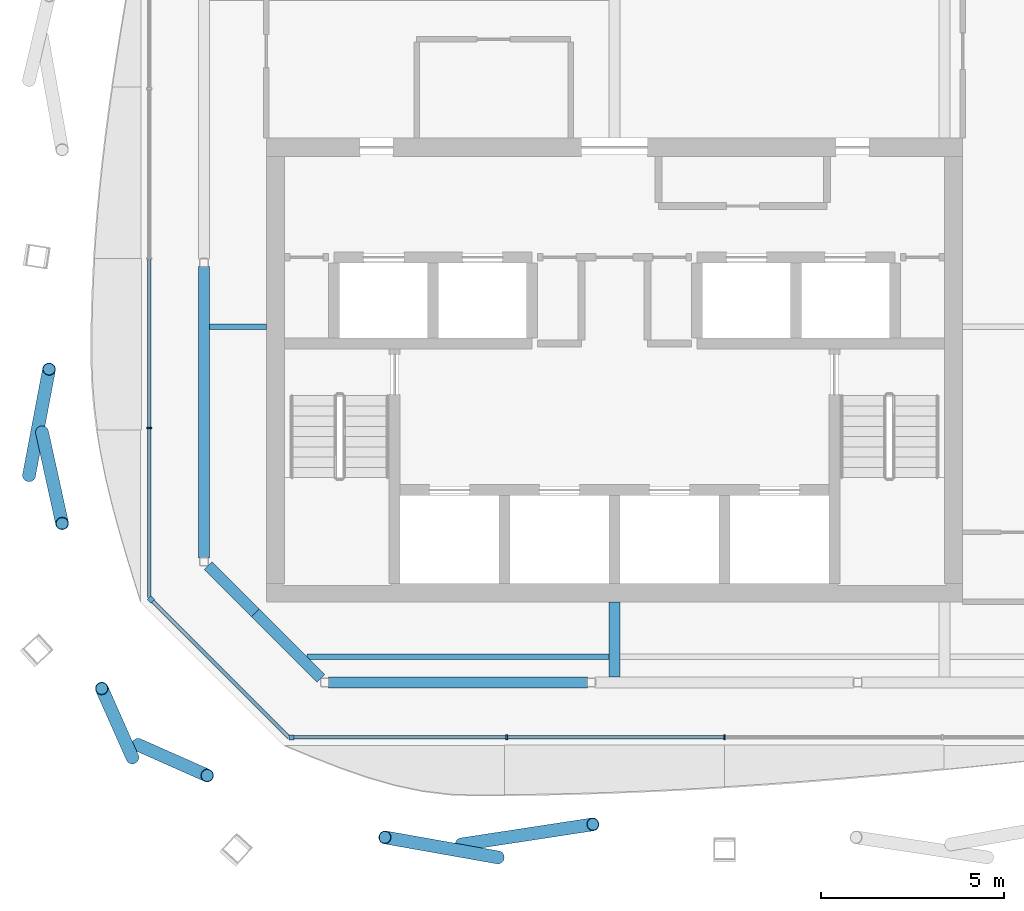
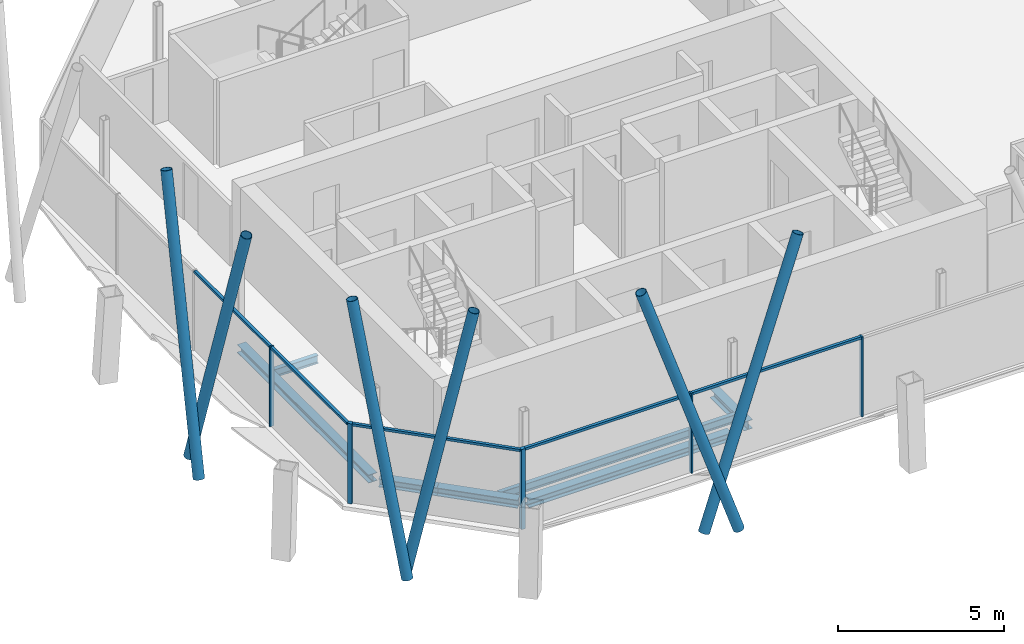
# One storey, part 3 of 13: 16 members, 7 beams, 3 elements without a shape of their own.
"""IFC4 building model written with IfcOpenShell, lengths in metres."""

from ifc_helpers import new_model, si_unit, direction, frame, origin, origin_2d, place, context, subcontext, project, spatial, rectangle, hollow_circle, i_section, extrude, material, material_profile, profile_set, type_object, element, aggregate, save


model = new_model("IFC4")

# Units and contexts
model_context = context("Model", 3, precision=1e-05, world=origin(), true_north=direction((0.0, 1.0)))
body_context = subcontext(model_context, "Body", "Model", "MODEL_VIEW")
ifc_project = project(units=[si_unit("LENGTHUNIT", "METRE"), si_unit("AREAUNIT", "SQUARE_METRE"), si_unit("VOLUMEUNIT", "CUBIC_METRE"), si_unit("PLANEANGLEUNIT", "RADIAN"), si_unit("MASSUNIT", "GRAM", prefix="KILO")], contexts=[model_context])

# Site, building, storey
site_placement = place(None, origin())
site = spatial("IfcSite", under=ifc_project, at=site_placement, CompositionType="ELEMENT")
building_placement = place(site_placement, origin())
building = spatial("IfcBuilding", under=site, at=building_placement, Name="Tskaro Facet Tower", CompositionType="ELEMENT")
storey_placement = place(building_placement, frame((0.0, 0.0, 278.39990234375)))
storey = spatial("IfcBuildingStorey", under=building, at=storey_placement, Name="L74", CompositionType="ELEMENT", Elevation=278.39990234375)

# Members
ifc_material_1 = material(Name="Steel S355J2H", Category="steel")
ifc_material_profile_1 = material_profile(ifc_material_1, hollow_circle(Radius=0.177734375, WallThickness=0.01611328125, at=origin_2d()), Name="CHS 355.6x16")
ifc_profile_set_1 = profile_set([ifc_material_profile_1], Name="Steel S355J2H")
member_type_1 = type_object("IfcMemberType", Name="CHS 355.6x16 brace", PredefinedType="BRACE", material=ifc_profile_set_1)
member_1_placement = place(storey_placement, frame((-4.177490234375, -18.61962890625, 0.0), z_axis=(0.354486102316, 0.054092953772, 0.933495343115), x_axis=(-0.150849231904, 0.988556780986, 0.0)))
element("IfcMember", 1, at=member_1_placement, inside=storey, type_object=member_type_1, Name="CHS 355.6x16 XB01A/6", PredefinedType="BRACE", context=body_context, shape_type="SweptSolid", body=[
    extrude(hollow_circle(Radius=0.177734375, WallThickness=0.01611328125, at=origin_2d()), origin(), (0.0, 0.0, 1.0), 10.12353515625),
])
member_2_placement = place(storey_placement, frame((-3.177001953125, -18.975341796875, 0.0), z_axis=(-0.310167611556, 0.05502103718, 0.949088372181), x_axis=(-0.174664448116, -0.984628016341, 0.0)))
element("IfcMember", 2, at=member_2_placement, inside=storey, type_object=member_type_1, Name="CHS 355.6x16 XB01B/6", PredefinedType="BRACE", context=body_context, shape_type="SweptSolid", body=[
    extrude(hollow_circle(Radius=0.177734375, WallThickness=0.01611328125, at=origin_2d()), origin(), (0.0, 0.0, 1.0), 9.95703125),
])
member_3_placement = place(storey_placement, frame((-15.61962890625, -7.373046875, 0.0), z_axis=(0.055945762215, -0.254437236004, 0.965469711915), x_axis=(0.9766689713, 0.214750367868, 0.0)))
element("IfcMember", 3, at=member_3_placement, inside=storey, type_object=member_type_1, Name="CHS 355.6x16 XB11A/6", PredefinedType="BRACE", context=body_context, shape_type="SweptSolid", body=[
    extrude(hollow_circle(Radius=0.177734375, WallThickness=0.01611328125, at=origin_2d()), origin(), (0.0, 0.0, 1.0), 9.7880859375),
])
member_4_placement = place(storey_placement, frame((-15.975341796875, -8.552490234375, 0.0), z_axis=(0.055334914977, 0.293023527036, 0.954502624296), x_axis=(-0.982632646837, 0.185561529875, 0.0)))
element("IfcMember", 4, at=member_4_placement, inside=storey, type_object=member_type_1, Name="CHS 355.6x16 XB11B/6", PredefinedType="BRACE", context=body_context, shape_type="SweptSolid", body=[
    extrude(hollow_circle(Radius=0.177734375, WallThickness=0.01611328125, at=origin_2d()), origin(), (0.0, 0.0, 1.0), 9.900634765625),
])
for number, where, z_axis, x_axis, name in (
    (5, (-12.997802734375, -15.90283203125, 0.0), (0.194856820766, -0.086499264866, 0.97701008008), (0.40573198476, 0.913992098731, 0.0), "CHS 355.6x16 XB12A/6"),
    (6, (-13.154296875, -16.249267578125, 0.0), (-0.086499264866, 0.194856820766, 0.97701008008), (-0.913992098731, -0.40573198476, 0.0), "CHS 355.6x16 XB12B/6"),
):
    element("IfcMember", number, at=place(storey_placement, frame(where, z_axis=z_axis, x_axis=x_axis)), inside=storey, type_object=member_type_1, Name=name, PredefinedType="BRACE", context=body_context, shape_type="SweptSolid", body=[
        extrude(hollow_circle(Radius=0.177734375, WallThickness=0.01611328125, at=origin_2d()), origin(), (0.0, 0.0, 1.0), 9.672607421875),
    ])

# Curtain wall, member
ifc_material_2 = material(Name="Bronze anodised aluminium 6063-T6", Category="aluminium")
curtain_wall_type = type_object("IfcCurtainWallType", Name="Bronze residence curtain wall (FW3)", PredefinedType="NOTDEFINED", material=ifc_material_2)
curtain_wall_1_placement = place(storey_placement, origin())
curtain_wall_1 = element("IfcCurtainWall", 7, at=curtain_wall_1_placement, inside=storey, type_object=curtain_wall_type, Name="FW3 south facet L74", PredefinedType="NOTDEFINED")
ifc_material_profile_2 = material_profile(ifc_material_2, rectangle(XDim=0.139892578125, YDim=0.139892578125, at=origin_2d()), Name="Corner post 140x140")
ifc_profile_set_2 = profile_set([ifc_material_profile_2], Name="Bronze anodised aluminium 6063-T6")
member_type_2 = type_object("IfcMemberType", Name="FW3 bronze corner post 140x140", PredefinedType="MULLION", material=ifc_profile_set_2)
member_5_placement = place(storey_placement, frame((-8.81689453125, -15.697998046875, 0.0), z_axis=(0.0, 0.0, 1.0), x_axis=(1.0, 0.0, 0.0)))
member_5 = element("IfcMember", 8, at=member_5_placement, type_object=member_type_2, Name="FW3 south corner post", PredefinedType="MULLION", context=body_context, shape_type="SweptSolid", body=[
    extrude(rectangle(XDim=0.139892578125, YDim=0.139892578125, at=origin_2d()), origin(), (0.0, 0.0, 1.0), 2.9501953125),
])

curtain_wall_2_placement = place(storey_placement, origin())
curtain_wall_2 = element("IfcCurtainWall", 9, at=curtain_wall_2_placement, inside=storey, type_object=curtain_wall_type, Name="FW3 south-west facet L74", PredefinedType="NOTDEFINED")
member_6_placement = place(storey_placement, frame((-12.6484375, -11.9365234375, 0.0), z_axis=(0.0, 0.0, 1.0), x_axis=(0.707106781187, -0.707106781187, 0.0)))
member_6 = element("IfcMember", 10, at=member_6_placement, type_object=member_type_2, Name="FW3 south-west corner post", PredefinedType="MULLION", context=body_context, shape_type="SweptSolid", body=[
    extrude(rectangle(XDim=0.139892578125, YDim=0.139892578125, at=origin_2d()), origin(), (0.0, 0.0, 1.0), 2.9501953125),
])

# Member
ifc_material_profile_3 = material_profile(ifc_material_2, rectangle(XDim=0.050048828125, YDim=0.139892578125, at=origin_2d()), Name="Mullion 50x140")
ifc_profile_set_3 = profile_set([ifc_material_profile_3], Name="Bronze anodised aluminium 6063-T6")
member_type_3 = type_object("IfcMemberType", Name="FW3 bronze mullion 50x140", PredefinedType="MULLION", material=ifc_profile_set_3)
member_7_placement = place(storey_placement, frame((-2.943603515625, -15.697998046875, 0.0), z_axis=(0.0, 0.0, 1.0), x_axis=(1.0, 0.0, 0.0)))
member_7 = element("IfcMember", 11, at=member_7_placement, type_object=member_type_3, Name="FW3 south mullion 1", PredefinedType="MULLION", context=body_context, shape_type="SweptSolid", body=[
    extrude(rectangle(XDim=0.050048828125, YDim=0.139892578125, at=origin_2d()), origin(), (0.0, 0.0, 1.0), 2.9501953125),
])

member_8_placement = place(storey_placement, frame((3.0, -15.697998046875, 0.0), z_axis=(0.0, 0.0, 1.0), x_axis=(1.0, 0.0, 0.0)))
member_8 = element("IfcMember", 12, at=member_8_placement, type_object=member_type_3, Name="FW3 south mullion 2", PredefinedType="MULLION", context=body_context, shape_type="SweptSolid", body=[
    extrude(rectangle(XDim=0.050048828125, YDim=0.139892578125, at=origin_2d()), origin(), (0.0, 0.0, 1.0), 2.9501953125),
])

# Curtain wall, member
curtain_wall_3_placement = place(storey_placement, origin())
curtain_wall_3 = element("IfcCurtainWall", 13, at=curtain_wall_3_placement, inside=storey, type_object=curtain_wall_type, Name="FW3 west facet L74", PredefinedType="NOTDEFINED")
member_9_placement = place(storey_placement, frame((-12.697998046875, -7.2587890625, 0.0), z_axis=(0.0, 0.0, 1.0), x_axis=(0.0, -1.0, 0.0)))
member_9 = element("IfcMember", 14, at=member_9_placement, type_object=member_type_3, Name="FW3 west mullion 3", PredefinedType="MULLION", context=body_context, shape_type="SweptSolid", body=[
    extrude(rectangle(XDim=0.050048828125, YDim=0.139892578125, at=origin_2d()), origin(), (0.0, 0.0, 1.0), 2.9501953125),
])

# Member
ifc_material_profile_4 = material_profile(ifc_material_2, rectangle(XDim=0.10009765625, YDim=0.090087890625, at=origin_2d()), Name="Transom 100x90")
ifc_profile_set_4 = profile_set([ifc_material_profile_4], Name="Bronze anodised aluminium 6063-T6")
member_type_4 = type_object("IfcMemberType", Name="FW3 bronze transom 100x90", PredefinedType="USERDEFINED", material=ifc_profile_set_4)
member_10_placement = place(storey_placement, frame((-8.7470703125, -15.697998046875, 2.905029296875), z_axis=(1.0, 0.0, 0.0), x_axis=(0.0, 1.0, 0.0)))
member_10 = element("IfcMember", 15, at=member_10_placement, type_object=member_type_4, Name="FW3 south transom 1.1", ObjectType="TRANSOM", PredefinedType="USERDEFINED", context=body_context, shape_type="SweptSolid", body=[
    extrude(rectangle(XDim=0.10009765625, YDim=0.090087890625, at=origin_2d()), origin(), (0.0, 0.0, 1.0), 5.778564453125),
])

member_11_placement = place(storey_placement, frame((-2.91845703125, -15.697998046875, 2.905029296875), z_axis=(1.0, 0.0, 0.0), x_axis=(0.0, 1.0, 0.0)))
member_11 = element("IfcMember", 16, at=member_11_placement, type_object=member_type_4, Name="FW3 south transom 2.1", ObjectType="TRANSOM", PredefinedType="USERDEFINED", context=body_context, shape_type="SweptSolid", body=[
    extrude(rectangle(XDim=0.10009765625, YDim=0.090087890625, at=origin_2d()), origin(), (0.0, 0.0, 1.0), 5.8935546875),
])

aggregate(curtain_wall_1, [member_5, member_7, member_8, member_10, member_11])

member_12_placement = place(storey_placement, frame((-12.697998046875, -2.655517578125, 2.905029296875), z_axis=(0.0, -1.0, 0.0), x_axis=(1.0, 0.0, 0.0)))
member_12 = element("IfcMember", 17, at=member_12_placement, type_object=member_type_4, Name="FW3 west transom 3.1", ObjectType="TRANSOM", PredefinedType="USERDEFINED", context=body_context, shape_type="SweptSolid", body=[
    extrude(rectangle(XDim=0.10009765625, YDim=0.090087890625, at=origin_2d()), origin(), (0.0, 0.0, 1.0), 4.578125),
])

member_13_placement = place(storey_placement, frame((-12.697998046875, -7.28369140625, 2.905029296875), z_axis=(0.0, -1.0, 0.0), x_axis=(1.0, 0.0, 0.0)))
member_13 = element("IfcMember", 18, at=member_13_placement, type_object=member_type_4, Name="FW3 west transom 4.1", ObjectType="TRANSOM", PredefinedType="USERDEFINED", context=body_context, shape_type="SweptSolid", body=[
    extrude(rectangle(XDim=0.10009765625, YDim=0.090087890625, at=origin_2d()), origin(), (0.0, 0.0, 1.0), 4.603271484375),
])

aggregate(curtain_wall_3, [member_9, member_12, member_13])

member_14_placement = place(storey_placement, frame((-12.59912109375, -11.986083984375, 2.905029296875), z_axis=(0.707130034012, -0.707083527597, 0.0), x_axis=(0.707083527597, 0.707130034012, 0.0)))
member_14 = element("IfcMember", 19, at=member_14_placement, type_object=member_type_4, Name="FW3 south-west transom 1.1", ObjectType="TRANSOM", PredefinedType="USERDEFINED", context=body_context, shape_type="SweptSolid", body=[
    extrude(rectangle(XDim=0.10009765625, YDim=0.090087890625, at=origin_2d()), origin(), (0.0, 0.0, 1.0), 5.24951171875),
])

aggregate(curtain_wall_2, [member_6, member_14])

# Beams
ifc_material_3 = material(Name="Steel S355J2", Category="steel")
ifc_material_profile_5 = material_profile(ifc_material_3, i_section(OverallWidth=0.300048828125, OverallDepth=0.300048828125, WebThickness=0.010986328125, FlangeThickness=0.01904296875, FilletRadius=0.027099609375, at=origin_2d()), Name="HE 300 B")
ifc_profile_set_5 = profile_set([ifc_material_profile_5], Name="Steel S355J2")
beam_type_1 = type_object("IfcBeamType", Name="HE 300 B ring beam", PredefinedType="BEAM", material=ifc_profile_set_5)
beam_1_placement = place(storey_placement, frame((-7.798095703125, -14.199951171875, -0.289794921875), z_axis=(1.0, 0.0, 0.0), x_axis=(0.0, 1.0, 0.0)))
element("IfcBeam", 20, at=beam_1_placement, inside=storey, type_object=beam_type_1, Name="HE 300 B EB1-6", PredefinedType="BEAM", context=body_context, shape_type="SweptSolid", body=[
    extrude(i_section(OverallWidth=0.300048828125, OverallDepth=0.300048828125, WebThickness=0.010986328125, FlangeThickness=0.01904296875, FilletRadius=0.027099609375, at=origin_2d()), origin(), (0.0, 0.0, 1.0), 7.05908203125),
])
beam_2_placement = place(storey_placement, frame((-11.199951171875, -2.85498046875, -0.289794921875), z_axis=(0.0, -1.0, 0.0), x_axis=(1.0, 0.0, 0.0)))
element("IfcBeam", 21, at=beam_2_placement, inside=storey, type_object=beam_type_1, Name="HE 300 B EB14-6", PredefinedType="BEAM", context=body_context, shape_type="SweptSolid", body=[
    extrude(i_section(OverallWidth=0.300048828125, OverallDepth=0.300048828125, WebThickness=0.010986328125, FlangeThickness=0.01904296875, FilletRadius=0.027099609375, at=origin_2d()), origin(), (0.0, 0.0, 1.0), 7.943115234375),
])
beam_3_placement = place(storey_placement, frame((-11.089111328125, -11.013916015625, -0.289794921875), z_axis=(0.707106781187, -0.707106781187, 0.0), x_axis=(0.707106781187, 0.707106781187, 0.0)))
element("IfcBeam", 22, at=beam_3_placement, inside=storey, type_object=beam_type_1, Name="HE 300 B EB15a-6", PredefinedType="BEAM", context=body_context, shape_type="SweptSolid", body=[
    extrude(i_section(OverallWidth=0.300048828125, OverallDepth=0.300048828125, WebThickness=0.010986328125, FlangeThickness=0.01904296875, FilletRadius=0.027099609375, at=origin_2d()), origin(), (0.0, 0.0, 1.0), 1.821044921875),
])
beam_4_placement = place(storey_placement, frame((-9.801513671875, -12.301513671875, -0.289794921875), z_axis=(0.707106781187, -0.707106781187, 0.0), x_axis=(0.707106781187, 0.707106781187, 0.0)))
element("IfcBeam", 23, at=beam_4_placement, inside=storey, type_object=beam_type_1, Name="HE 300 B EB15b-6", PredefinedType="BEAM", context=body_context, shape_type="SweptSolid", body=[
    extrude(i_section(OverallWidth=0.300048828125, OverallDepth=0.300048828125, WebThickness=0.010986328125, FlangeThickness=0.01904296875, FilletRadius=0.027099609375, at=origin_2d()), origin(), (0.0, 0.0, 1.0), 2.528076171875),
])
ifc_material_profile_6 = material_profile(ifc_material_3, i_section(OverallWidth=0.300048828125, OverallDepth=0.330078125, WebThickness=0.009521484375, FlangeThickness=0.0166015625, FilletRadius=0.027099609375, at=origin_2d()), Name="HE 340 A")
ifc_profile_set_6 = profile_set([ifc_material_profile_6], Name="Steel S355J2")
beam_type_2 = type_object("IfcBeamType", Name="HE 340 A girder", PredefinedType="BEAM", material=ifc_profile_set_6)
beam_5_placement = place(storey_placement, frame((0.0, -14.050048828125, -0.304931640625), z_axis=(0.0, 1.0, 0.0), x_axis=(-1.0, 0.0, 0.0)))
element("IfcBeam", 24, at=beam_5_placement, inside=storey, type_object=beam_type_2, Name="HE 340 A GB4-1-6", PredefinedType="BEAM", context=body_context, shape_type="SweptSolid", body=[
    extrude(i_section(OverallWidth=0.300048828125, OverallDepth=0.330078125, WebThickness=0.009521484375, FlangeThickness=0.0166015625, FilletRadius=0.027099609375, at=origin_2d()), origin(), (0.0, 0.0, 1.0), 2.050048828125),
])
ifc_material_profile_7 = material_profile(ifc_material_3, i_section(OverallWidth=0.14990234375, OverallDepth=0.300048828125, WebThickness=0.007080078125, FlangeThickness=0.0107421875, FilletRadius=0.014892578125, at=origin_2d()), Name="IPE 300")
ifc_profile_set_7 = profile_set([ifc_material_profile_7], Name="Steel S355J2")
beam_type_3 = type_object("IfcBeamType", Name="IPE 300 secondary beam", PredefinedType="BEAM", material=ifc_profile_set_7)
beam_6_placement = place(storey_placement, frame((-8.39111328125, -13.5, -0.289794921875), z_axis=(1.0, 0.0, 0.0), x_axis=(0.0, 1.0, 0.0)))
element("IfcBeam", 25, at=beam_6_placement, inside=storey, type_object=beam_type_3, Name="IPE 300 SB2a-1-6", PredefinedType="BEAM", context=body_context, shape_type="SweptSolid", body=[
    extrude(i_section(OverallWidth=0.14990234375, OverallDepth=0.300048828125, WebThickness=0.007080078125, FlangeThickness=0.0107421875, FilletRadius=0.014892578125, at=origin_2d()), origin(), (0.0, 0.0, 1.0), 8.2412109375),
])
beam_7_placement = place(storey_placement, frame((-11.050048828125, -4.5, -0.289794921875), z_axis=(1.0, 0.0, 0.0), x_axis=(0.0, 1.0, 0.0)))
element("IfcBeam", 26, at=beam_7_placement, inside=storey, type_object=beam_type_3, Name="IPE 300 SB3a-1-6", PredefinedType="BEAM", context=body_context, shape_type="SweptSolid", body=[
    extrude(i_section(OverallWidth=0.14990234375, OverallDepth=0.300048828125, WebThickness=0.007080078125, FlangeThickness=0.0107421875, FilletRadius=0.014892578125, at=origin_2d()), origin(), (0.0, 0.0, 1.0), 1.550048828125),
])

save(model, "model.ifc")
